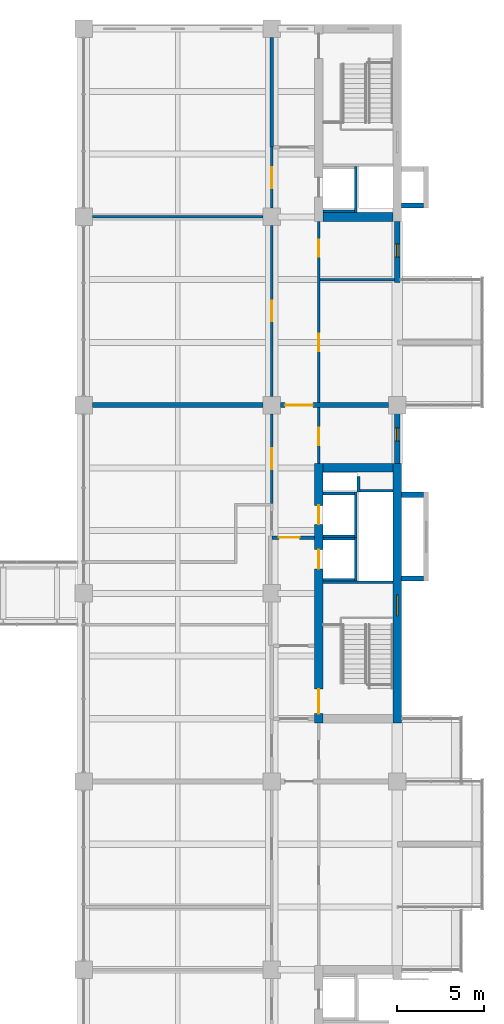
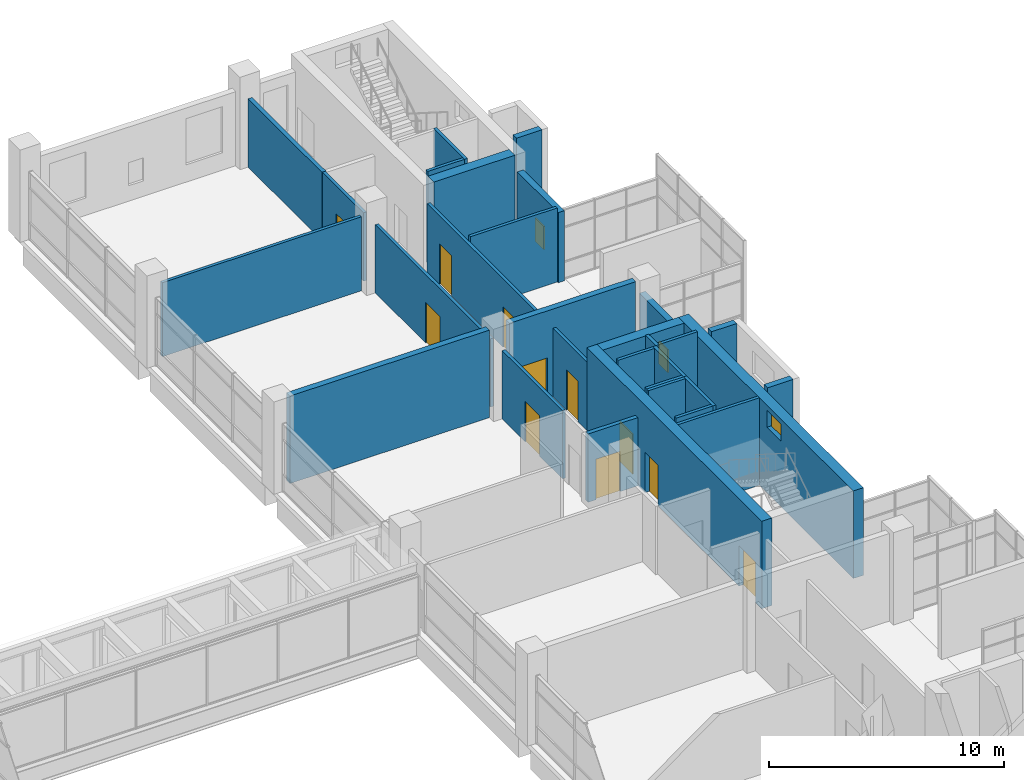
# One storey, part 30 of 35: 31 walls, 11 doors, 3 windows, 14 openings.
"""IFC4 building model written with IfcOpenShell, lengths in metres."""

from ifc_helpers import new_model, si_unit, direction, frame, frame_2d, origin, place, context, subcontext, project, spatial, rectangle, extrude, material, layer, layer_set, type_object, element, fill, save


model = new_model("IFC4")

# Units and contexts
model_context = context("Model", 3, precision=1e-05, world=origin(), true_north=direction((0.0, 1.0)))
body_context = subcontext(model_context, "Body", "Model", "MODEL_VIEW")
ifc_project = project(units=[si_unit("LENGTHUNIT", "METRE"), si_unit("AREAUNIT", "SQUARE_METRE"), si_unit("VOLUMEUNIT", "CUBIC_METRE"), si_unit("PLANEANGLEUNIT", "RADIAN"), si_unit("MASSUNIT", "GRAM", prefix="KILO")], contexts=[model_context])

# Site, building, storey
site_placement = place(None, origin())
site = spatial("IfcSite", under=ifc_project, at=site_placement, CompositionType="ELEMENT")
building_placement = place(site_placement, origin())
building = spatial("IfcBuilding", under=site, at=building_placement, Name="Basin Gate Institute", CompositionType="ELEMENT")
storey_placement = place(building_placement, frame((0.0, 0.0, 31.800048828125)))
storey = spatial("IfcBuildingStorey", under=building, at=storey_placement, Name="L06", CompositionType="ELEMENT", Elevation=31.800048828125)

# Wall
ifc_material_1 = material(Name="Fire-rated masonry", Category="masonry")
ifc_layer_1 = layer(ifc_material_1, 0.199951171875)
ifc_layer_set_1 = layer_set([ifc_layer_1], Name="Enclosure wall PW2 200 EI 60")
wall_type_1 = type_object("IfcWallType", Name="Enclosure wall PW2 200 EI 60", PredefinedType="PARTITIONING", material=ifc_layer_set_1)
wall_1_placement = place(storey_placement, frame((111.60009765625, 93.10009765625, 0.0), z_axis=(0.0, 0.0, 1.0), x_axis=(0.0, 1.0, 0.0)))
element("IfcWall", 1, at=wall_1_placement, inside=storey, type_object=wall_type_1, material=ifc_layer_set_1, Name="Smoke lobby enclosure wall PW2 L06", PredefinedType="PARTITIONING", context=body_context, shape_type="SweptSolid", body=[
    extrude(rectangle(XDim=6.2998046875, YDim=0.199951171875, at=frame_2d((3.14990234375, 0.0))), origin(), (0.0, 0.0, 1.0), 3.550048828125),
])

# Wall, opening, door
wall_2_placement = place(storey_placement, frame((114.050048828125, 70.699951171875, 0.0), z_axis=(0.0, 0.0, 1.0), x_axis=(-1.0, 0.0, 0.0)))
wall_2 = element("IfcWall", 2, at=wall_2_placement, inside=storey, type_object=wall_type_1, material=ifc_layer_set_1, Name="Emergency lift lobby wall PW2 L06", PredefinedType="PARTITIONING", context=body_context, shape_type="SweptSolid", body=[
    extrude(rectangle(XDim=2.449951171875, YDim=0.199951171875, at=frame_2d((1.22509765625, 0.0))), origin(), (0.0, 0.0, 1.0), 3.550048828125),
])
opening_1_placement = place(wall_2_placement, frame((0.85009765625, 0.0, 0.0)))
opening_1 = element("IfcOpeningElement", 3, at=opening_1_placement, cuts=wall_2, Name="Opening DR295", PredefinedType="OPENING", context=body_context, shape_type="SweptSolid", body=[
    extrude(rectangle(XDim=1.199951171875, YDim=2.10009765625, at=frame_2d((0.60009765625, 1.050048828125))), frame((0.0, 0.10986328125, 0.0), z_axis=(0.0, -1.0, 0.0), x_axis=(1.0, 0.0, 0.0)), (0.0, 0.0, 1.0), 0.219970703125),
])
ifc_material_2 = material(Name="Steel fire door", Category="steel")
door_type_1 = type_object("IfcDoorType", Name="FD60 Emergency lift lobby door D9", OperationType="NOTDEFINED", PredefinedType="DOOR", material=ifc_material_2)
door_1_placement = place(opening_1_placement, origin())
door_1 = element("IfcDoor", 4, at=door_1_placement, inside=storey, type_object=door_type_1, material=ifc_material_2, Name="Emergency lift lobby door LF2 L06", OperationType="SINGLE_SWING_RIGHT", OverallHeight=2.10009765625, OverallWidth=1.199951171875, PredefinedType="DOOR", context=body_context, shape_type="SweptSolid", body=[
    extrude(rectangle(XDim=1.199951171875, YDim=2.10009765625, at=frame_2d((0.60009765625, 1.050048828125))), frame((0.0, 0.02490234375, 0.0), z_axis=(0.0, -1.0, 0.0), x_axis=(1.0, 0.0, 0.0)), (0.0, 0.0, 1.0), 0.050048828125),
])
fill(opening_1, door_1)

# Wall, opening, window
ifc_material_3 = material(Name="Aluminium-faced insulated panel wall", Category="aluminium")
ifc_layer_2 = layer(ifc_material_3, 0.300048828125)
ifc_layer_set_2 = layer_set([ifc_layer_2], Name="External wall EW1 EI 120")
wall_type_2 = type_object("IfcWallType", Name="External wall EW1 EI 120", PredefinedType="STANDARD", material=ifc_layer_set_2)
wall_3_placement = place(storey_placement, frame((118.800048828125, 74.949951171875, 0.0), z_axis=(0.0, 0.0, 1.0), x_axis=(0.0, 1.0, 0.0)))
wall_3 = element("IfcWall", 5, at=wall_3_placement, inside=storey, type_object=wall_type_2, material=ifc_layer_set_2, Name="External wall E facade L06 1", PredefinedType="STANDARD", context=body_context, shape_type="SweptSolid", body=[
    extrude(rectangle(XDim=3.5, YDim=0.300048828125, at=frame_2d((1.75, 0.0))), origin(), (0.0, 0.0, 1.0), 3.64990234375),
])
opening_2_placement = place(wall_3_placement, frame((1.300048828125, 0.0, 0.800048828125)))
opening_2 = element("IfcOpeningElement", 6, at=opening_2_placement, cuts=wall_3, Name="Opening WN3", PredefinedType="OPENING", context=body_context, shape_type="SweptSolid", body=[
    extrude(rectangle(XDim=0.75, YDim=1.199951171875, at=frame_2d((0.375, 0.60009765625))), frame((0.0, 0.16015625, 0.0), z_axis=(0.0, -1.0, 0.0), x_axis=(1.0, 0.0, 0.0)), (0.0, 0.0, 1.0), 0.320068359375),
])
ifc_material_4 = material(Name="Aluminium-framed double glazing", Category="aluminium")
window_type_1 = type_object("IfcWindowType", Name="Emergency entry panel WN3", PartitioningType="SINGLE_PANEL", PredefinedType="WINDOW", material=ifc_material_4)
window_1_placement = place(opening_2_placement, origin())
window_1 = element("IfcWindow", 7, at=window_1_placement, inside=storey, type_object=window_type_1, material=ifc_material_4, Name="Emergency entry panel E facade L06 bay 12", OverallHeight=1.199951171875, OverallWidth=0.75, PartitioningType="SINGLE_PANEL", PredefinedType="WINDOW", context=body_context, shape_type="SweptSolid", body=[
    extrude(rectangle(XDim=0.75, YDim=1.199951171875, at=frame_2d((0.375, 0.60009765625))), frame((0.0, 0.030029296875, 0.0), z_axis=(0.0, -1.0, 0.0), x_axis=(1.0, 0.0, 0.0)), (0.0, 0.0, 1.0), 0.06005859375),
])
fill(opening_2, window_1)

wall_4_placement = place(storey_placement, frame((118.800048828125, 85.35009765625, 0.0), z_axis=(0.0, 0.0, 1.0), x_axis=(0.0, 1.0, 0.0)))
wall_4 = element("IfcWall", 8, at=wall_4_placement, inside=storey, type_object=wall_type_2, material=ifc_layer_set_2, Name="External wall E facade L06 2", PredefinedType="STANDARD", context=body_context, shape_type="SweptSolid", body=[
    extrude(rectangle(XDim=3.5, YDim=0.300048828125, at=frame_2d((1.75, 0.0))), origin(), (0.0, 0.0, 1.0), 3.64990234375),
])
opening_3_placement = place(wall_4_placement, frame((1.449951171875, 0.0, 0.800048828125)))
opening_3 = element("IfcOpeningElement", 9, at=opening_3_placement, cuts=wall_4, Name="Opening WN3", PredefinedType="OPENING", context=body_context, shape_type="SweptSolid", body=[
    extrude(rectangle(XDim=0.75, YDim=1.199951171875, at=frame_2d((0.375, 0.60009765625))), frame((0.0, 0.16015625, 0.0), z_axis=(0.0, -1.0, 0.0), x_axis=(1.0, 0.0, 0.0)), (0.0, 0.0, 1.0), 0.320068359375),
])
window_2_placement = place(opening_3_placement, origin())
window_2 = element("IfcWindow", 10, at=window_2_placement, inside=storey, type_object=window_type_1, material=ifc_material_4, Name="Emergency entry panel E facade L06 bay 15", OverallHeight=1.199951171875, OverallWidth=0.75, PartitioningType="SINGLE_PANEL", PredefinedType="WINDOW", context=body_context, shape_type="SweptSolid", body=[
    extrude(rectangle(XDim=0.75, YDim=1.199951171875, at=frame_2d((0.375, 0.60009765625))), frame((0.0, 0.030029296875, 0.0), z_axis=(0.0, -1.0, 0.0), x_axis=(1.0, 0.0, 0.0)), (0.0, 0.0, 1.0), 0.06005859375),
])
fill(opening_3, window_2)

# Wall, opening, door
ifc_material_5 = material(Name="Gypsum board on steel stud", Category="steel")
ifc_layer_3 = layer(ifc_material_5, 0.14990234375)
ifc_layer_set_3 = layer_set([ifc_layer_3], Name="Gypsum board on steel stud")
wall_type_3 = type_object("IfcWallType", Name="Partition PW1 150 EI 60", PredefinedType="PARTITIONING", material=ifc_layer_set_3)
wall_5_placement = place(storey_placement, frame((114.300048828125, 74.949951171875, 0.0), z_axis=(0.0, 0.0, 1.0), x_axis=(0.0, 1.0, 0.0)))
wall_5 = element("IfcWall", 11, at=wall_5_placement, inside=storey, type_object=wall_type_3, material=ifc_layer_set_3, Name="Corridor wall PW1 L06", PredefinedType="PARTITIONING", context=body_context, shape_type="SweptSolid", body=[
    extrude(rectangle(XDim=3.199951171875, YDim=0.14990234375, at=frame_2d((1.60009765625, 0.0))), origin(), (0.0, 0.0, 1.0), 3.550048828125),
])
opening_4_placement = place(wall_5_placement, frame((1.050048828125, 0.0, 0.0)))
opening_4 = element("IfcOpeningElement", 12, at=opening_4_placement, cuts=wall_5, Name="Opening DR284", PredefinedType="OPENING", context=body_context, shape_type="SweptSolid", body=[
    extrude(rectangle(XDim=1.0, YDim=2.10009765625, at=frame_2d((0.5, 1.050048828125))), frame((0.0, 0.0849609375, 0.0), z_axis=(0.0, -1.0, 0.0), x_axis=(1.0, 0.0, 0.0)), (0.0, 0.0, 1.0), 0.169921875),
])
ifc_material_6 = material(Name="Timber fire door", Category="wood")
door_type_2 = type_object("IfcDoorType", Name="FD30 Toilet door D3", OperationType="NOTDEFINED", PredefinedType="DOOR", material=ifc_material_6)
door_2_placement = place(opening_4_placement, frame((1.0, 0.0, 0.0), z_axis=(0.0, 0.0, 1.0), x_axis=(-1.0, 0.0, 0.0)))
door_2 = element("IfcDoor", 13, at=door_2_placement, inside=storey, type_object=door_type_2, material=ifc_material_6, Name="Door to Male WC L06", OperationType="SINGLE_SWING_RIGHT", OverallHeight=2.10009765625, OverallWidth=1.0, PredefinedType="DOOR", context=body_context, shape_type="SweptSolid", body=[
    extrude(rectangle(XDim=1.0, YDim=2.10009765625, at=frame_2d((0.5, 1.050048828125))), frame((0.0, 0.02490234375, 0.0), z_axis=(0.0, -1.0, 0.0), x_axis=(1.0, 0.0, 0.0)), (0.0, 0.0, 1.0), 0.050048828125),
])
fill(opening_4, door_2)

# Wall, openings, doors
wall_6_placement = place(storey_placement, frame((114.300048828125, 78.449951171875, 0.0), z_axis=(0.0, 0.0, 1.0), x_axis=(0.0, 1.0, 0.0)))
wall_6 = element("IfcWall", 14, at=wall_6_placement, inside=storey, type_object=wall_type_3, material=ifc_layer_set_3, Name="Corridor wall PW1 L06", PredefinedType="PARTITIONING", context=body_context, shape_type="SweptSolid", body=[
    extrude(rectangle(XDim=10.400146484375, YDim=0.14990234375, at=frame_2d((5.2001953125, 0.0))), origin(), (0.0, 0.0, 1.0), 3.550048828125),
])
opening_5_placement = place(wall_6_placement, frame((8.35009765625, 0.0, 0.0)))
opening_5 = element("IfcOpeningElement", 15, at=opening_5_placement, cuts=wall_6, Name="Opening DR282", PredefinedType="OPENING", context=body_context, shape_type="SweptSolid", body=[
    extrude(rectangle(XDim=1.0, YDim=2.10009765625, at=frame_2d((0.5, 1.050048828125))), frame((0.0, 0.0849609375, 0.0), z_axis=(0.0, -1.0, 0.0), x_axis=(1.0, 0.0, 0.0)), (0.0, 0.0, 1.0), 0.169921875),
])
opening_6_placement = place(wall_6_placement, frame((2.949951171875, 0.0, 0.0)))
opening_6 = element("IfcOpeningElement", 16, at=opening_6_placement, cuts=wall_6, Name="Opening DR286", PredefinedType="OPENING", context=body_context, shape_type="SweptSolid", body=[
    extrude(rectangle(XDim=1.0, YDim=2.10009765625, at=frame_2d((0.5, 1.050048828125))), frame((0.0, 0.0849609375, 0.0), z_axis=(0.0, -1.0, 0.0), x_axis=(1.0, 0.0, 0.0)), (0.0, 0.0, 1.0), 0.169921875),
])
ifc_material_7 = material(Name="Timber fire door", Category="wood")
door_type_3 = type_object("IfcDoorType", Name="FD30 Office door D1", OperationType="NOTDEFINED", PredefinedType="DOOR", material=ifc_material_7)
door_3_placement = place(opening_6_placement, frame((1.0, 0.0, 0.0), z_axis=(0.0, 0.0, 1.0), x_axis=(-1.0, 0.0, 0.0)))
door_3 = element("IfcDoor", 17, at=door_3_placement, inside=storey, type_object=door_type_3, material=ifc_material_7, Name="Door to Seminar Room 0654 L06", OperationType="SINGLE_SWING_RIGHT", OverallHeight=2.10009765625, OverallWidth=1.0, PredefinedType="DOOR", context=body_context, shape_type="SweptSolid", body=[
    extrude(rectangle(XDim=1.0, YDim=2.10009765625, at=frame_2d((0.5, 1.050048828125))), frame((0.0, 0.02490234375, 0.0), z_axis=(0.0, -1.0, 0.0), x_axis=(1.0, 0.0, 0.0)), (0.0, 0.0, 1.0), 0.050048828125),
])
fill(opening_6, door_3)
door_4_placement = place(opening_5_placement, frame((1.0, 0.0, 0.0), z_axis=(0.0, 0.0, 1.0), x_axis=(-1.0, 0.0, 0.0)))
door_4 = element("IfcDoor", 18, at=door_4_placement, inside=storey, type_object=door_type_2, material=ifc_material_6, Name="Door to Female WC L06", OperationType="SINGLE_SWING_LEFT", OverallHeight=2.10009765625, OverallWidth=1.0, PredefinedType="DOOR", context=body_context, shape_type="SweptSolid", body=[
    extrude(rectangle(XDim=1.0, YDim=2.10009765625, at=frame_2d((0.5, 1.050048828125))), frame((0.0, 0.02490234375, 0.0), z_axis=(0.0, -1.0, 0.0), x_axis=(1.0, 0.0, 0.0)), (0.0, 0.0, 1.0), 0.050048828125),
])
fill(opening_5, door_4)

# Wall, opening, door
wall_7_placement = place(storey_placement, frame((111.60009765625, 78.800048828125, 0.0), z_axis=(0.0, 0.0, 1.0), x_axis=(0.0, 1.0, 0.0)))
wall_7 = element("IfcWall", 19, at=wall_7_placement, inside=storey, type_object=wall_type_3, material=ifc_layer_set_3, Name="Laboratory corridor wall PW1 L06", PredefinedType="PARTITIONING", context=body_context, shape_type="SweptSolid", body=[
    extrude(rectangle(XDim=9.800048828125, YDim=0.14990234375, at=frame_2d((4.89990234375, 0.0))), origin(), (0.0, 0.0, 1.0), 3.550048828125),
])
opening_7_placement = place(wall_7_placement, frame((4.300048828125, 0.0, 0.0)))
opening_7 = element("IfcOpeningElement", 20, at=opening_7_placement, cuts=wall_7, Name="Opening DR292", PredefinedType="OPENING", context=body_context, shape_type="SweptSolid", body=[
    extrude(rectangle(XDim=1.199951171875, YDim=2.10009765625, at=frame_2d((0.60009765625, 1.050048828125))), frame((0.0, 0.0849609375, 0.0), z_axis=(0.0, -1.0, 0.0), x_axis=(1.0, 0.0, 0.0)), (0.0, 0.0, 1.0), 0.169921875),
])
ifc_material_8 = material(Name="Timber fire door", Category="wood")
door_type_4 = type_object("IfcDoorType", Name="FD30 Laboratory door D2", OperationType="DOUBLE_DOOR_SINGLE_SWING", PredefinedType="DOOR", material=ifc_material_8)
door_5_placement = place(opening_7_placement, origin())
door_5 = element("IfcDoor", 21, at=door_5_placement, inside=storey, type_object=door_type_4, material=ifc_material_8, Name="Door to Write-up Office 0669 L06", OperationType="DOUBLE_DOOR_SINGLE_SWING", OverallHeight=2.10009765625, OverallWidth=1.199951171875, PredefinedType="DOOR", context=body_context, shape_type="SweptSolid", body=[
    extrude(rectangle(XDim=1.199951171875, YDim=2.10009765625, at=frame_2d((0.60009765625, 1.050048828125))), frame((0.0, 0.02490234375, 0.0), z_axis=(0.0, -1.0, 0.0), x_axis=(1.0, 0.0, 0.0)), (0.0, 0.0, 1.0), 0.050048828125),
])
fill(opening_7, door_5)

wall_8_placement = place(storey_placement, frame((111.60009765625, 89.60009765625, 0.0), z_axis=(0.0, 0.0, 1.0), x_axis=(0.0, 1.0, 0.0)))
wall_8 = element("IfcWall", 22, at=wall_8_placement, inside=storey, type_object=wall_type_3, material=ifc_layer_set_3, Name="Laboratory corridor wall PW1 L06", PredefinedType="PARTITIONING", context=body_context, shape_type="SweptSolid", body=[
    extrude(rectangle(XDim=3.5, YDim=0.14990234375, at=frame_2d((1.75, 0.0))), origin(), (0.0, 0.0, 1.0), 3.550048828125),
])
opening_8_placement = place(wall_8_placement, frame((1.14990234375, 0.0, 0.0)))
opening_8 = element("IfcOpeningElement", 23, at=opening_8_placement, cuts=wall_8, Name="Opening DR293", PredefinedType="OPENING", context=body_context, shape_type="SweptSolid", body=[
    extrude(rectangle(XDim=1.199951171875, YDim=2.10009765625, at=frame_2d((0.60009765625, 1.050048828125))), frame((0.0, 0.0849609375, 0.0), z_axis=(0.0, -1.0, 0.0), x_axis=(1.0, 0.0, 0.0)), (0.0, 0.0, 1.0), 0.169921875),
])
door_6_placement = place(opening_8_placement, origin())
door_6 = element("IfcDoor", 24, at=door_6_placement, inside=storey, type_object=door_type_4, material=ifc_material_8, Name="Door to Write-up Office 0670 L06", OperationType="DOUBLE_DOOR_SINGLE_SWING", OverallHeight=2.10009765625, OverallWidth=1.199951171875, PredefinedType="DOOR", context=body_context, shape_type="SweptSolid", body=[
    extrude(rectangle(XDim=1.199951171875, YDim=2.10009765625, at=frame_2d((0.60009765625, 1.050048828125))), frame((0.0, 0.02490234375, 0.0), z_axis=(0.0, -1.0, 0.0), x_axis=(1.0, 0.0, 0.0)), (0.0, 0.0, 1.0), 0.050048828125),
])
fill(opening_8, door_6)

wall_9_placement = place(storey_placement, frame((111.60009765625, 72.64990234375, 0.0), z_axis=(0.0, 0.0, 1.0), x_axis=(0.0, 1.0, 0.0)))
wall_9 = element("IfcWall", 25, at=wall_9_placement, inside=storey, type_object=wall_type_3, material=ifc_layer_set_3, Name="Laboratory corridor wall PW1 L06", PredefinedType="PARTITIONING", context=body_context, shape_type="SweptSolid", body=[
    extrude(rectangle(XDim=5.150146484375, YDim=0.14990234375, at=frame_2d((2.5751953125, 0.0))), origin(), (0.0, 0.0, 1.0), 3.550048828125),
])
opening_9_placement = place(wall_9_placement, frame((1.97509765625, 0.0, 0.0)))
opening_9 = element("IfcOpeningElement", 26, at=opening_9_placement, cuts=wall_9, Name="Opening DR291", PredefinedType="OPENING", context=body_context, shape_type="SweptSolid", body=[
    extrude(rectangle(XDim=1.199951171875, YDim=2.10009765625, at=frame_2d((0.60009765625, 1.050048828125))), frame((0.0, 0.0849609375, 0.0), z_axis=(0.0, -1.0, 0.0), x_axis=(1.0, 0.0, 0.0)), (0.0, 0.0, 1.0), 0.169921875),
])
door_7_placement = place(opening_9_placement, origin())
door_7 = element("IfcDoor", 27, at=door_7_placement, inside=storey, type_object=door_type_4, material=ifc_material_8, Name="Door to Write-up Office 0668 L06", OperationType="DOUBLE_DOOR_SINGLE_SWING", OverallHeight=2.10009765625, OverallWidth=1.199951171875, PredefinedType="DOOR", context=body_context, shape_type="SweptSolid", body=[
    extrude(rectangle(XDim=1.199951171875, YDim=2.10009765625, at=frame_2d((0.60009765625, 1.050048828125))), frame((0.0, 0.02490234375, 0.0), z_axis=(0.0, -1.0, 0.0), x_axis=(1.0, 0.0, 0.0)), (0.0, 0.0, 1.0), 0.050048828125),
])
fill(opening_9, door_7)

# Walls
wall_10_placement = place(storey_placement, frame((111.10009765625, 89.10009765625, 0.0), z_axis=(0.0, 0.0, 1.0), x_axis=(-1.0, 0.0, 0.0)))
element("IfcWall", 28, at=wall_10_placement, inside=storey, type_object=wall_type_3, material=ifc_layer_set_3, Name="Laboratory partition PW1 L06", PredefinedType="PARTITIONING", context=body_context, shape_type="SweptSolid", body=[
    extrude(rectangle(XDim=9.800048828125, YDim=0.14990234375, at=frame_2d((4.89990234375, 0.0))), origin(), (0.0, 0.0, 1.0), 3.849853515625),
])
ifc_material_9 = material(Name="Gypsum board on steel stud", Category="steel")
ifc_layer_4 = layer(ifc_material_9, 0.14990234375)
ifc_layer_set_4 = layer_set([ifc_layer_4], Name="Gypsum board on steel stud")
wall_type_4 = type_object("IfcWallType", Name="Partition PW4 150", PredefinedType="PARTITIONING", material=ifc_layer_set_4)
wall_11_placement = place(storey_placement, frame((118.64990234375, 85.5, 0.0), z_axis=(0.0, 0.0, 1.0), x_axis=(-1.0, 0.0, 0.0)))
element("IfcWall", 29, at=wall_11_placement, inside=storey, type_object=wall_type_4, material=ifc_layer_set_4, Name="Toilet partition PW4 L06", PredefinedType="PARTITIONING", context=body_context, shape_type="SweptSolid", body=[
    extrude(rectangle(XDim=4.27490234375, YDim=0.14990234375, at=frame_2d((2.137451171875, 0.0))), origin(), (0.0, 0.0, 1.0), 3.849853515625),
])
ifc_material_10 = material(Name="Concrete 40 MPa", Category="concrete")
ifc_layer_5 = layer(ifc_material_10, 0.14990234375)
ifc_layer_set_5 = layer_set([ifc_layer_5], Name="Concrete 40 MPa")
wall_type_5 = type_object("IfcWallType", Name="Wall LS1 lift shaft enclosure R120", PredefinedType="SOLIDWALL", material=ifc_layer_set_5)
wall_12_placement = place(storey_placement, frame((116.425048828125, 68.199951171875, 0.0), z_axis=(0.0, 0.0, 1.0), x_axis=(0.0, 1.0, 0.0)))
element("IfcWall", 30, at=wall_12_placement, inside=storey, type_object=wall_type_5, material=ifc_layer_set_5, Name="Lift shaft enclosure LF2 L06 UL", PredefinedType="SOLIDWALL", context=body_context, shape_type="SweptSolid", body=[
    extrude(rectangle(XDim=2.5, YDim=0.14990234375, at=frame_2d((1.25, 0.0))), origin(), (0.0, 0.0, 1.0), 4.800048828125),
])
for number, where, z_axis, x_axis, name in (
    (31, (116.35009765625, 68.27490234375, 0.0), (0.0, 0.0, 1.0), (-1.0, 0.0, 0.0), "Lift shaft enclosure LF2 L06 RL"),
    (32, (116.35009765625, 70.625, 0.0), (0.0, 0.0, 1.0), (-1.0, 0.0, 0.0), "Lift shaft enclosure LF2 L06 RH"),
):
    element("IfcWall", number, at=place(storey_placement, frame(where, z_axis=z_axis, x_axis=x_axis)), inside=storey, type_object=wall_type_5, material=ifc_layer_set_5, Name=name, PredefinedType="SOLIDWALL", context=body_context, shape_type="SweptSolid", body=[
        extrude(rectangle(XDim=1.800048828125, YDim=0.14990234375, at=frame_2d((0.89990234375, 0.0))), origin(), (0.0, 0.0, 1.0), 4.800048828125),
    ])
wall_13_placement = place(storey_placement, frame((116.425048828125, 70.699951171875, 0.0), z_axis=(0.0, 0.0, 1.0), x_axis=(0.0, 1.0, 0.0)))
element("IfcWall", 33, at=wall_13_placement, inside=storey, type_object=wall_type_5, material=ifc_layer_set_5, Name="Lift shaft enclosure LP5 L06 UL", PredefinedType="SOLIDWALL", context=body_context, shape_type="SweptSolid", body=[
    extrude(rectangle(XDim=2.60009765625, YDim=0.14990234375, at=frame_2d((1.300048828125, 0.0))), origin(), (0.0, 0.0, 1.0), 4.800048828125),
])
for number, where, z_axis, x_axis, name in (
    (34, (116.35009765625, 70.77490234375, 0.0), (0.0, 0.0, 1.0), (-1.0, 0.0, 0.0), "Lift shaft enclosure LP5 L06 RL"),
    (35, (116.35009765625, 73.22509765625, 0.0), (0.0, 0.0, 1.0), (-1.0, 0.0, 0.0), "Lift shaft enclosure LP5 L06 RH"),
):
    element("IfcWall", number, at=place(storey_placement, frame(where, z_axis=z_axis, x_axis=x_axis)), inside=storey, type_object=wall_type_5, material=ifc_layer_set_5, Name=name, PredefinedType="SOLIDWALL", context=body_context, shape_type="SweptSolid", body=[
        extrude(rectangle(XDim=1.800048828125, YDim=0.14990234375, at=frame_2d((0.89990234375, 0.0))), origin(), (0.0, 0.0, 1.0), 4.800048828125),
    ])
wall_14_placement = place(storey_placement, frame((116.425048828125, 92.0, 0.0), z_axis=(0.0, 0.0, 1.0), x_axis=(0.0, -1.0, 0.0)))
element("IfcWall", 36, at=wall_14_placement, inside=storey, type_object=wall_type_5, material=ifc_layer_set_5, Name="Lift shaft enclosure LP6 L06 UL", PredefinedType="SOLIDWALL", context=body_context, shape_type="SweptSolid", body=[
    extrude(rectangle(XDim=2.64990234375, YDim=0.14990234375, at=frame_2d((1.324951171875, 0.0))), origin(), (0.0, 0.0, 1.0), 4.800048828125),
])
wall_15_placement = place(storey_placement, frame((116.35009765625, 89.425048828125, 0.0), z_axis=(0.0, 0.0, 1.0), x_axis=(-1.0, 0.0, 0.0)))
element("IfcWall", 37, at=wall_15_placement, inside=storey, type_object=wall_type_5, material=ifc_layer_set_5, Name="Lift shaft enclosure LP6 L06 RH", PredefinedType="SOLIDWALL", context=body_context, shape_type="SweptSolid", body=[
    extrude(rectangle(XDim=1.800048828125, YDim=0.14990234375, at=frame_2d((0.89990234375, 0.0))), origin(), (0.0, 0.0, 1.0), 4.800048828125),
])
ifc_material_11 = material(Name="Concrete 40 MPa", Category="concrete")
ifc_layer_6 = layer(ifc_material_11, 0.14990234375)
ifc_layer_set_6 = layer_set([ifc_layer_6], Name="Concrete 40 MPa")
wall_type_6 = type_object("IfcWallType", Name="Wall RS1 riser shaft enclosure R120", PredefinedType="SOLIDWALL", material=ifc_layer_set_6)
wall_16_placement = place(storey_placement, frame((118.550048828125, 73.375, 0.0), z_axis=(0.0, 0.0, 1.0), x_axis=(-1.0, 0.0, 0.0)))
element("IfcWall", 38, at=wall_16_placement, inside=storey, type_object=wall_type_6, material=ifc_layer_set_6, Name="Riser shaft enclosure EM L06 N", PredefinedType="SOLIDWALL", context=body_context, shape_type="SweptSolid", body=[
    extrude(rectangle(XDim=1.900146484375, YDim=0.14990234375, at=frame_2d((0.9501953125, 0.0))), origin(), (0.0, 0.0, 1.0), 4.800048828125),
])
wall_17_placement = place(storey_placement, frame((116.574951171875, 73.300048828125, 0.0), z_axis=(0.0, 0.0, 1.0), x_axis=(0.0, 1.0, 0.0)))
element("IfcWall", 39, at=wall_17_placement, inside=storey, type_object=wall_type_6, material=ifc_layer_set_6, Name="Riser shaft enclosure EM L06 W", PredefinedType="SOLIDWALL", context=body_context, shape_type="SweptSolid", body=[
    extrude(rectangle(XDim=0.89990234375, YDim=0.14990234375, at=frame_2d((0.449951171875, 0.0))), origin(), (0.0, 0.0, 1.0), 4.800048828125),
])
ifc_material_12 = material(Name="Concrete 40 MPa", Category="concrete")
ifc_layer_7 = layer(ifc_material_12, 0.14990234375)
ifc_layer_set_7 = layer_set([ifc_layer_7], Name="Concrete 40 MPa")
wall_type_7 = type_object("IfcWallType", Name="Wall SE1 stair enclosure R120", PredefinedType="SOLIDWALL", material=ifc_layer_set_7)
wall_18_placement = place(storey_placement, frame((118.550048828125, 68.125, 0.0), z_axis=(0.0, 0.0, 1.0), x_axis=(-1.0, 0.0, 0.0)))
element("IfcWall", 40, at=wall_18_placement, inside=storey, type_object=wall_type_7, material=ifc_layer_set_7, Name="Stair enclosure wall ST-EM L06", PredefinedType="SOLIDWALL", context=body_context, shape_type="SweptSolid", body=[
    extrude(rectangle(XDim=4.0, YDim=0.14990234375, at=frame_2d((2.0, 0.0))), origin(), (0.0, 0.0, 1.0), 4.550048828125),
])
ifc_material_13 = material(Name="Concrete 50 MPa", Category="concrete")
ifc_layer_8 = layer(ifc_material_13, 0.300048828125)
ifc_layer_set_8 = layer_set([ifc_layer_8], Name="Concrete 50 MPa")
wall_type_8 = type_object("IfcWallType", Name="Wall SK1 R120", PredefinedType="SHEAR", material=ifc_layer_set_8)
for number, where, z_axis, x_axis, name in (
    (41, (119.050048828125, 68.35009765625, 0.0), (0.0, 0.0, 1.0), (1.0, 0.0, 0.0), "Spine riser stack wall SK1 EM A L06"),
    (42, (119.050048828125, 73.14990234375, 0.0), (0.0, 0.0, 1.0), (1.0, 0.0, 0.0), "Spine riser stack wall SK1 EM B L06"),
    (43, (119.050048828125, 89.75, 0.0), (0.0, 0.0, 1.0), (1.0, 0.0, 0.0), "Spine riser stack wall SK1 EN A L06"),
):
    element("IfcWall", number, at=place(storey_placement, frame(where, z_axis=z_axis, x_axis=x_axis)), inside=storey, type_object=wall_type_8, material=ifc_layer_set_8, Name=name, PredefinedType="SHEAR", context=body_context, shape_type="SweptSolid", body=[
        extrude(rectangle(XDim=1.25, YDim=0.300048828125, at=frame_2d((0.625, 0.0))), origin(), (0.0, 0.0, 1.0), 4.800048828125),
    ])

# Wall, opening, window
ifc_material_14 = material(Name="Concrete 60 MPa", Category="concrete")
ifc_layer_9 = layer(ifc_material_14, 0.5)
ifc_layer_set_9 = layer_set([ifc_layer_9], Name="Concrete 60 MPa")
wall_type_9 = type_object("IfcWallType", Name="Wall SW1 R120", PredefinedType="SHEAR", material=ifc_layer_set_9)
wall_19_placement = place(storey_placement, frame((118.800048828125, 60.050048828125, 0.0), z_axis=(0.0, 0.0, 1.0), x_axis=(0.0, 1.0, 0.0)))
wall_19 = element("IfcWall", 44, at=wall_19_placement, inside=storey, type_object=wall_type_9, material=ifc_layer_set_9, Name="WALL/L06/EM/L", PredefinedType="SHEAR", context=body_context, shape_type="SweptSolid", body=[
    extrude(rectangle(XDim=14.89990234375, YDim=0.5, at=frame_2d((7.449951171875, 0.0))), origin(), (0.0, 0.0, 1.0), 4.550048828125),
])
opening_10_placement = place(wall_19_placement, frame((6.159912109375, 0.0, 3.39990234375)))
opening_10 = element("IfcOpeningElement", 45, at=opening_10_placement, cuts=wall_19, Name="Opening WT2", PredefinedType="OPENING", context=body_context, shape_type="SweptSolid", body=[
    extrude(rectangle(XDim=1.199951171875, YDim=0.89990234375, at=frame_2d((0.60009765625, 0.449951171875))), frame((0.0, 0.260009765625, 0.0), z_axis=(0.0, -1.0, 0.0), x_axis=(1.0, 0.0, 0.0)), (0.0, 0.0, 1.0), 0.52001953125),
])
ifc_material_15 = material(Name="Fire-resistant glazing in steel-free frame", Category="steel")
window_type_2 = type_object("IfcWindowType", Name="Rated stair window EI 120 WT2", PartitioningType="SINGLE_PANEL", PredefinedType="WINDOW", material=ifc_material_15)
window_3_placement = place(opening_10_placement, origin())
window_3 = element("IfcWindow", 46, at=window_3_placement, inside=storey, type_object=window_type_2, material=ifc_material_15, Name="Rated stair window EI 120 EM landing L06", OverallHeight=0.89990234375, OverallWidth=1.199951171875, PartitioningType="SINGLE_PANEL", PredefinedType="WINDOW", context=body_context, shape_type="SweptSolid", body=[
    extrude(rectangle(XDim=1.199951171875, YDim=0.89990234375, at=frame_2d((0.60009765625, 0.449951171875))), frame((0.0, 0.030029296875, 0.0), z_axis=(0.0, -1.0, 0.0), x_axis=(1.0, 0.0, 0.0)), (0.0, 0.0, 1.0), 0.06005859375),
])
fill(opening_10, window_3)

# Wall, openings, doors
wall_20_placement = place(storey_placement, frame((114.300048828125, 60.050048828125, 0.0), z_axis=(0.0, 0.0, 1.0), x_axis=(0.0, 1.0, 0.0)))
wall_20 = element("IfcWall", 47, at=wall_20_placement, inside=storey, type_object=wall_type_9, material=ifc_layer_set_9, Name="WALL/L06/EM/C", PredefinedType="SHEAR", context=body_context, shape_type="SweptSolid", body=[
    extrude(rectangle(XDim=14.89990234375, YDim=0.5, at=frame_2d((7.449951171875, 0.0))), origin(), (0.0, 0.0, 1.0), 4.550048828125),
])
opening_11_placement = place(wall_20_placement, frame((0.550048828125, 0.0, 0.0)))
opening_11 = element("IfcOpeningElement", 48, at=opening_11_placement, cuts=wall_20, Name="Opening DS041", PredefinedType="OPENING", context=body_context, shape_type="SweptSolid", body=[
    extrude(rectangle(XDim=1.39990234375, YDim=2.10009765625, at=frame_2d((0.699951171875, 1.050048828125))), frame((0.0, 0.260009765625, 0.0), z_axis=(0.0, -1.0, 0.0), x_axis=(1.0, 0.0, 0.0)), (0.0, 0.0, 1.0), 0.52001953125),
])
opening_12_placement = place(wall_20_placement, frame((8.85009765625, 0.0, 0.0)))
opening_12 = element("IfcOpeningElement", 49, at=opening_12_placement, cuts=wall_20, Name="Opening LD089", PredefinedType="OPENING", context=body_context, shape_type="SweptSolid", body=[
    extrude(rectangle(XDim=1.10009765625, YDim=2.10009765625, at=frame_2d((0.550048828125, 1.050048828125))), frame((0.0, 0.260009765625, 0.0), z_axis=(0.0, -1.0, 0.0), x_axis=(1.0, 0.0, 0.0)), (0.0, 0.0, 1.0), 0.52001953125),
])
opening_13_placement = place(wall_20_placement, frame((11.39990234375, 0.0, 0.0)))
opening_13 = element("IfcOpeningElement", 50, at=opening_13_placement, cuts=wall_20, Name="Opening LD101", PredefinedType="OPENING", context=body_context, shape_type="SweptSolid", body=[
    extrude(rectangle(XDim=1.10009765625, YDim=2.10009765625, at=frame_2d((0.550048828125, 1.050048828125))), frame((0.0, 0.260009765625, 0.0), z_axis=(0.0, -1.0, 0.0), x_axis=(1.0, 0.0, 0.0)), (0.0, 0.0, 1.0), 0.52001953125),
])
ifc_material_16 = material(Name="Steel fire door", Category="steel")
door_type_5 = type_object("IfcDoorType", Name="FD30 Stair enclosure door DS", OperationType="DOUBLE_DOOR_SINGLE_SWING", PredefinedType="DOOR", material=ifc_material_16)
door_8_placement = place(opening_11_placement, frame((1.39990234375, 0.0, 0.0), z_axis=(0.0, 0.0, 1.0), x_axis=(-1.0, 0.0, 0.0)))
door_8 = element("IfcDoor", 51, at=door_8_placement, inside=storey, type_object=door_type_5, material=ifc_material_16, Name="Stair enclosure door ST-EM L06", OperationType="DOUBLE_DOOR_SINGLE_SWING", OverallHeight=2.10009765625, OverallWidth=1.39990234375, PredefinedType="DOOR", context=body_context, shape_type="SweptSolid", body=[
    extrude(rectangle(XDim=1.39990234375, YDim=2.10009765625, at=frame_2d((0.699951171875, 1.050048828125))), frame((0.0, 0.02490234375, 0.0), z_axis=(0.0, -1.0, 0.0), x_axis=(1.0, 0.0, 0.0)), (0.0, 0.0, 1.0), 0.050048828125),
])
fill(opening_11, door_8)
ifc_material_17 = material(Name="Stainless steel", Category="steel")
door_type_6 = type_object("IfcDoorType", Name="FD60 Lift landing door LD", OperationType="SLIDING_TO_LEFT", PredefinedType="DOOR", material=ifc_material_17)
door_9_placement = place(opening_12_placement, origin())
door_9 = element("IfcDoor", 52, at=door_9_placement, inside=storey, type_object=door_type_6, material=ifc_material_17, Name="Lift landing door LF2 L06", OperationType="SLIDING_TO_LEFT", OverallHeight=2.10009765625, OverallWidth=1.10009765625, PredefinedType="DOOR", context=body_context, shape_type="SweptSolid", body=[
    extrude(rectangle(XDim=1.10009765625, YDim=2.10009765625, at=frame_2d((0.550048828125, 1.050048828125))), frame((0.0, 0.02490234375, 0.0), z_axis=(0.0, -1.0, 0.0), x_axis=(1.0, 0.0, 0.0)), (0.0, 0.0, 1.0), 0.050048828125),
])
fill(opening_12, door_9)
door_10_placement = place(opening_13_placement, origin())
door_10 = element("IfcDoor", 53, at=door_10_placement, inside=storey, type_object=door_type_6, material=ifc_material_17, Name="Lift landing door LP5 L06", OperationType="SLIDING_TO_LEFT", OverallHeight=2.10009765625, OverallWidth=1.10009765625, PredefinedType="DOOR", context=body_context, shape_type="SweptSolid", body=[
    extrude(rectangle(XDim=1.10009765625, YDim=2.10009765625, at=frame_2d((0.550048828125, 1.050048828125))), frame((0.0, 0.02490234375, 0.0), z_axis=(0.0, -1.0, 0.0), x_axis=(1.0, 0.0, 0.0)), (0.0, 0.0, 1.0), 0.050048828125),
])
fill(opening_13, door_10)

# Walls
for number, where, z_axis, x_axis, name in (
    (54, (118.550048828125, 74.699951171875, 0.0), (0.0, 0.0, 1.0), (-1.0, 0.0, 0.0), "WALL/L06/EM/N"),
    (55, (118.550048828125, 89.10009765625, 0.0), (0.0, 0.0, 1.0), (-1.0, 0.0, 0.0), "WALL/L06/EN/S"),
):
    element("IfcWall", number, at=place(storey_placement, frame(where, z_axis=z_axis, x_axis=x_axis)), inside=storey, type_object=wall_type_9, material=ifc_layer_set_9, Name=name, PredefinedType="SHEAR", context=body_context, shape_type="SweptSolid", body=[
        extrude(rectangle(XDim=4.0, YDim=0.5, at=frame_2d((2.0, 0.0))), origin(), (0.0, 0.0, 1.0), 4.550048828125),
    ])

# Wall, opening, door
ifc_material_18 = material(Name="Concrete 50 MPa", Category="concrete")
ifc_layer_10 = layer(ifc_material_18, 0.300048828125)
ifc_layer_set_10 = layer_set([ifc_layer_10], Name="Concrete 50 MPa")
wall_type_10 = type_object("IfcWallType", Name="Wall XW1 R120", PredefinedType="SHEAR", material=ifc_layer_set_10)
wall_21_placement = place(storey_placement, frame((118.300048828125, 78.300048828125, 0.0), z_axis=(0.0, 0.0, 1.0), x_axis=(-1.0, 0.0, 0.0)))
wall_21 = element("IfcWall", 56, at=wall_21_placement, inside=storey, type_object=wall_type_10, material=ifc_layer_set_10, Name="WALL/L06/EXE/1", PredefinedType="SHEAR", context=body_context, shape_type="SweptSolid", body=[
    extrude(rectangle(XDim=6.199951171875, YDim=0.300048828125, at=frame_2d((3.10009765625, 0.0))), origin(), (0.0, 0.0, 1.0), 4.550048828125),
])
opening_14_placement = place(wall_21_placement, frame((4.33740234375, 0.0, 0.0)))
opening_14 = element("IfcOpeningElement", 57, at=opening_14_placement, cuts=wall_21, Name="Opening DR301", PredefinedType="OPENING", context=body_context, shape_type="SweptSolid", body=[
    extrude(rectangle(XDim=1.60009765625, YDim=2.10009765625, at=frame_2d((0.800048828125, 1.050048828125))), frame((0.0, 0.16015625, 0.0), z_axis=(0.0, -1.0, 0.0), x_axis=(1.0, 0.0, 0.0)), (0.0, 0.0, 1.0), 0.320068359375),
])
ifc_material_19 = material(Name="Steel fire door", Category="steel")
door_type_7 = type_object("IfcDoorType", Name="FD60 Compartment door pair D7", OperationType="DOUBLE_DOOR_SINGLE_SWING", PredefinedType="DOOR", material=ifc_material_19)
door_11_placement = place(opening_14_placement, origin())
door_11 = element("IfcDoor", 58, at=door_11_placement, inside=storey, type_object=door_type_7, material=ifc_material_19, Name="Compartment door pair L06 E2 L06", OperationType="DOUBLE_DOOR_SINGLE_SWING", OverallHeight=2.10009765625, OverallWidth=1.60009765625, PredefinedType="DOOR", context=body_context, shape_type="SweptSolid", body=[
    extrude(rectangle(XDim=1.60009765625, YDim=2.10009765625, at=frame_2d((0.800048828125, 1.050048828125))), frame((0.0, 0.02490234375, 0.0), z_axis=(0.0, -1.0, 0.0), x_axis=(1.0, 0.0, 0.0)), (0.0, 0.0, 1.0), 0.050048828125),
])
fill(opening_14, door_11)

# Wall
wall_22_placement = place(storey_placement, frame((111.10009765625, 78.300048828125, 0.0), z_axis=(0.0, 0.0, 1.0), x_axis=(-1.0, 0.0, 0.0)))
element("IfcWall", 59, at=wall_22_placement, inside=storey, type_object=wall_type_10, material=ifc_layer_set_10, Name="WALL/L06/EXE/2", PredefinedType="SHEAR", context=body_context, shape_type="SweptSolid", body=[
    extrude(rectangle(XDim=9.800048828125, YDim=0.300048828125, at=frame_2d((4.89990234375, 0.0))), origin(), (0.0, 0.0, 1.0), 4.550048828125),
])

save(model, "model.ifc")
